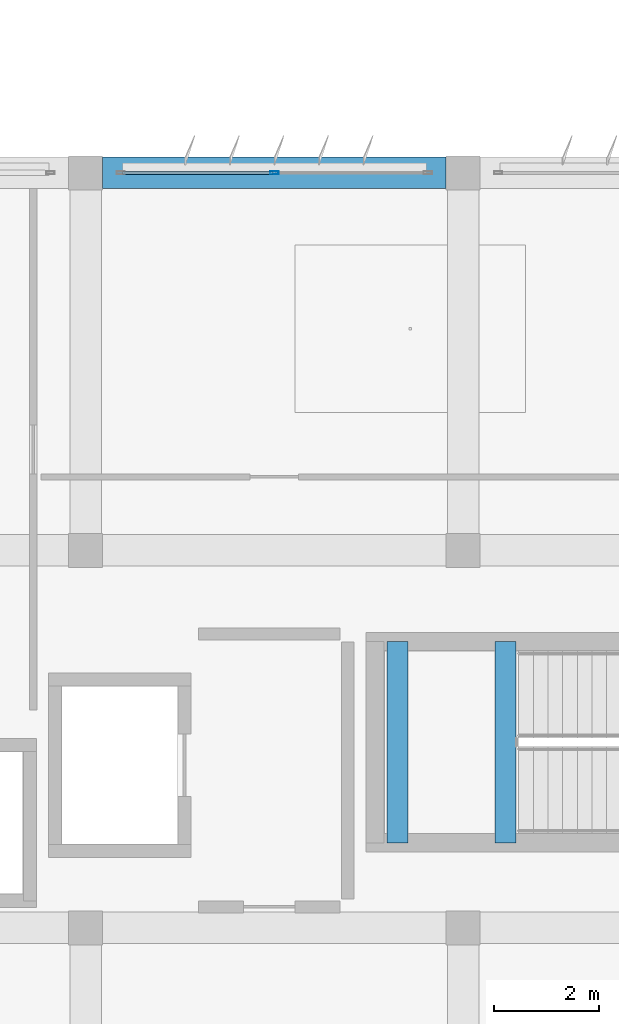
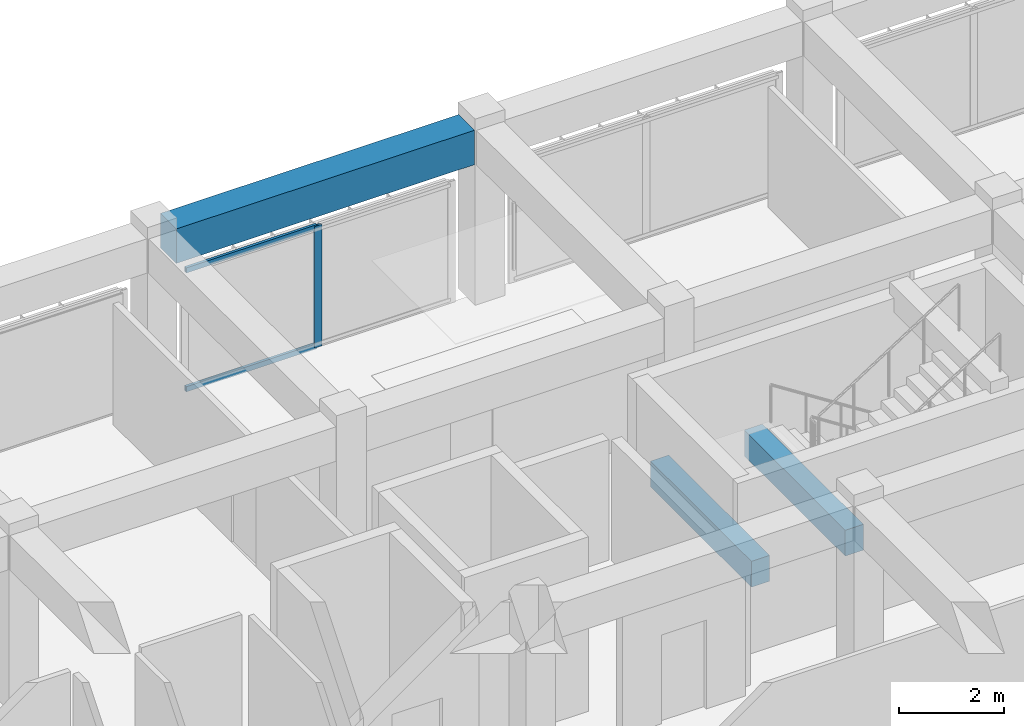
# One storey, part 24 of 53: 3 beams, 3 members, 1 element without a shape of its own.
"""IFC4 building model written with IfcOpenShell, lengths in metres."""

from ifc_helpers import new_model, si_unit, direction, frame, origin, origin_2d, place, context, subcontext, project, spatial, rectangle, hollow_rectangle, extrude, material, material_profile, profile_set, type_object, element, aggregate, save


model = new_model("IFC4")

# Units and contexts
model_context = context("Model", 3, precision=1e-05, world=origin(), true_north=direction((0.0, 1.0)))
body_context = subcontext(model_context, "Body", "Model", "MODEL_VIEW")
ifc_project = project(units=[si_unit("LENGTHUNIT", "METRE"), si_unit("AREAUNIT", "SQUARE_METRE"), si_unit("VOLUMEUNIT", "CUBIC_METRE"), si_unit("PLANEANGLEUNIT", "RADIAN"), si_unit("MASSUNIT", "GRAM", prefix="KILO")], contexts=[model_context])

# Site, building, storey
site_placement = place(None, origin())
site = spatial("IfcSite", under=ifc_project, at=site_placement, CompositionType="ELEMENT")
building_placement = place(site_placement, origin())
building = spatial("IfcBuilding", under=site, at=building_placement, Name="Kazehaya Institute of Natural Sciences", CompositionType="ELEMENT")
storey_placement = place(building_placement, frame((0.0, 0.0, 33.300048828125)))
storey = spatial("IfcBuildingStorey", under=building, at=storey_placement, Name="L07", CompositionType="ELEMENT", Elevation=33.300048828125)

# Beams
ifc_material_1 = material(Name="Concrete Fc36", Category="concrete")
ifc_material_profile_1 = material_profile(ifc_material_1, rectangle(XDim=0.39990234375, YDim=0.60009765625, at=origin_2d()), Name="RC-400x600")
ifc_profile_set_1 = profile_set([ifc_material_profile_1], Name="Concrete Fc36")
beam_type_1 = type_object("IfcBeamType", Name="BM-B-400x600", PredefinedType="BEAM", material=ifc_profile_set_1)
for number, where, z_axis, x_axis, name in (
    (1, (103.75, 22.820068359375, 1.699951171875), (0.0, 1.0, 0.0), (-1.0, 0.0, 0.0), "L07 ST-2 landing beam 1"),
    (2, (105.81005859375, 22.820068359375, 1.699951171875), (0.0, 1.0, 0.0), (-1.0, 0.0, 0.0), "L07 ST-2 landing beam 2"),
):
    element("IfcBeam", number, at=place(storey_placement, frame(where, z_axis=z_axis, x_axis=x_axis)), inside=storey, type_object=beam_type_1, Name=name, PredefinedType="BEAM", context=body_context, shape_type="SweptSolid", body=[
        extrude(rectangle(XDim=0.39990234375, YDim=0.60009765625, at=origin_2d()), origin(), (0.0, 0.0, 1.0), 3.83984375),
    ])
ifc_material_profile_2 = material_profile(ifc_material_1, rectangle(XDim=0.60009765625, YDim=0.800048828125, at=origin_2d()), Name="RC-600x800")
ifc_profile_set_2 = profile_set([ifc_material_profile_2], Name="Concrete Fc36")
beam_type_2 = type_object("IfcBeamType", Name="BM-G-600x800", PredefinedType="BEAM", material=ifc_profile_set_2)
beam_placement = place(storey_placement, frame((98.125, 35.60009765625, 3.64990234375), z_axis=(1.0, 0.0, 0.0), x_axis=(0.0, 1.0, 0.0)))
element("IfcBeam", 3, at=beam_placement, inside=storey, type_object=beam_type_2, Name="L07 primary X girder BMX-L07-978-356", PredefinedType="BEAM", context=body_context, shape_type="SweptSolid", body=[
    extrude(rectangle(XDim=0.60009765625, YDim=0.800048828125, at=origin_2d()), origin(), (0.0, 0.0, 1.0), 6.550048828125),
])

# Curtain wall, members
ifc_material_2 = material(Name="Aluminium alloy A6063S-T5", Category="aluminium")
curtain_wall_type = type_object("IfcCurtainWallType", Name="CW-SYS-05", PredefinedType="NOTDEFINED", material=ifc_material_2)
curtain_wall_placement = place(storey_placement, origin())
curtain_wall = element("IfcCurtainWall", 4, at=curtain_wall_placement, inside=storey, type_object=curtain_wall_type, Name="L07 unitised curtain wall CW-L07-163", PredefinedType="NOTDEFINED")
ifc_material_profile_3 = material_profile(ifc_material_2, hollow_rectangle(XDim=0.06005859375, YDim=0.159912109375, WallThickness=0.00390625, at=origin_2d()), Name="ALU-60x160x4")
ifc_profile_set_3 = profile_set([ifc_material_profile_3], Name="Aluminium alloy A6063S-T5")
member_type_1 = type_object("IfcMemberType", Name="CWM-160", PredefinedType="MULLION", material=ifc_profile_set_3)
member_1_placement = place(storey_placement, frame((101.39990234375, 35.60009765625, 0.0), z_axis=(0.0, 0.0, 1.0), x_axis=(0.0, 1.0, 0.0)))
member_1 = element("IfcMember", 5, at=member_1_placement, type_object=member_type_1, Name="CW05 mullion 2", PredefinedType="MULLION", context=body_context, shape_type="SweptSolid", body=[
    extrude(hollow_rectangle(XDim=0.06005859375, YDim=0.159912109375, WallThickness=0.00390625, at=origin_2d()), origin(), (0.0, 0.0, 1.0), 2.820068359375),
])
ifc_material_profile_4 = material_profile(ifc_material_2, hollow_rectangle(XDim=0.06005859375, YDim=0.1201171875, WallThickness=0.00341796875, at=origin_2d()), Name="ALU-60x120x3.5")
ifc_profile_set_4 = profile_set([ifc_material_profile_4], Name="Aluminium alloy A6063S-T5")
member_type_2 = type_object("IfcMemberType", Name="CWT-120", PredefinedType="USERDEFINED", material=ifc_profile_set_4)
member_2_placement = place(storey_placement, frame((98.5, 35.60009765625, 0.030029296875), z_axis=(1.0, 0.0, 0.0), x_axis=(0.0, 1.0, 0.0)))
member_2 = element("IfcMember", 6, at=member_2_placement, type_object=member_type_2, Name="CW05 transom 1.1", ObjectType="TRANSOM", PredefinedType="USERDEFINED", context=body_context, shape_type="SweptSolid", body=[
    extrude(hollow_rectangle(XDim=0.06005859375, YDim=0.1201171875, WallThickness=0.00341796875, at=origin_2d()), origin(), (0.0, 0.0, 1.0), 2.8701171875),
])
member_3_placement = place(storey_placement, frame((98.5, 35.60009765625, 2.7900390625), z_axis=(1.0, 0.0, 0.0), x_axis=(0.0, 1.0, 0.0)))
member_3 = element("IfcMember", 7, at=member_3_placement, type_object=member_type_2, Name="CW05 transom 1.2", ObjectType="TRANSOM", PredefinedType="USERDEFINED", context=body_context, shape_type="SweptSolid", body=[
    extrude(hollow_rectangle(XDim=0.06005859375, YDim=0.1201171875, WallThickness=0.00341796875, at=origin_2d()), origin(), (0.0, 0.0, 1.0), 2.8701171875),
])
aggregate(curtain_wall, [member_1, member_2, member_3])

save(model, "model.ifc")
